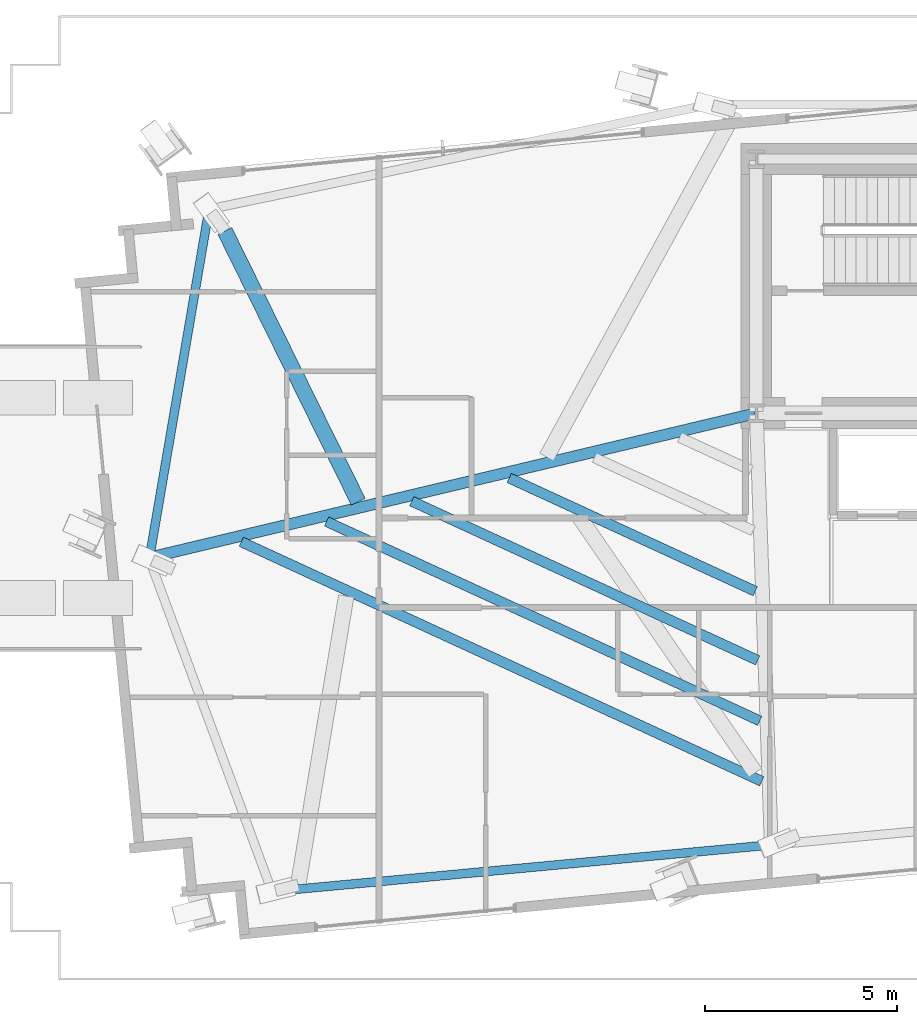
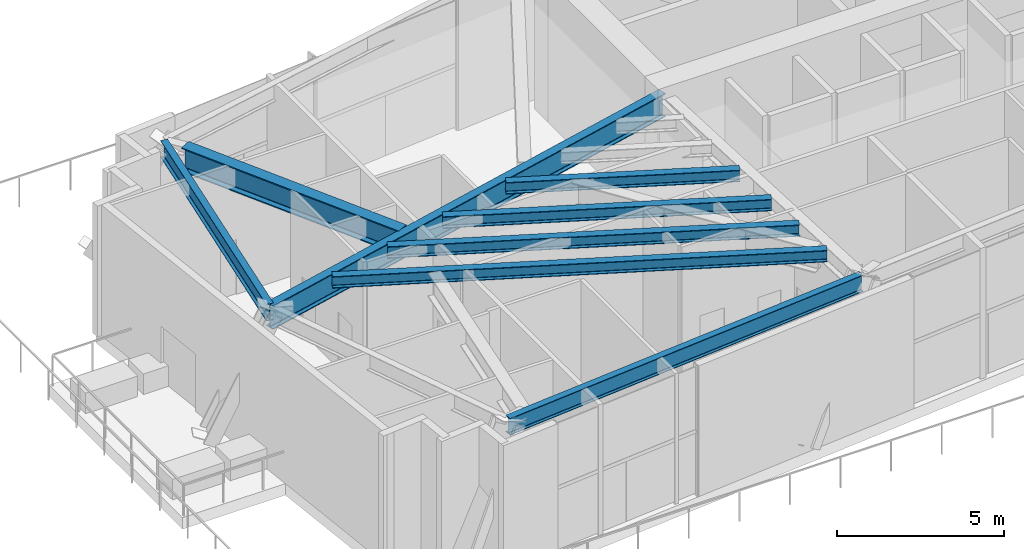
# One storey, part 3 of 28: 8 beams.
"""IFC4 building model written with IfcOpenShell, lengths in metres."""

from ifc_helpers import new_model, si_unit, direction, frame, origin, origin_2d, place, context, subcontext, project, spatial, i_section, extrude, source, transform, mapped, material, material_profile, profile_set, type_object, type_shapes, element, save


model = new_model("IFC4")

# Units and contexts
model_context = context("Model", 3, precision=1e-05, world=origin(), true_north=direction((0.0, 1.0)))
body_context = subcontext(model_context, "Body", "Model", "MODEL_VIEW")
ifc_project = project(units=[si_unit("LENGTHUNIT", "METRE"), si_unit("AREAUNIT", "SQUARE_METRE"), si_unit("VOLUMEUNIT", "CUBIC_METRE"), si_unit("PLANEANGLEUNIT", "RADIAN"), si_unit("MASSUNIT", "GRAM", prefix="KILO")], contexts=[model_context])

# Site, building, storey
site_placement = place(None, origin())
site = spatial("IfcSite", under=ifc_project, at=site_placement, CompositionType="ELEMENT")
building_placement = place(site_placement, origin())
building = spatial("IfcBuilding", under=site, at=building_placement, Name="Astriad Promenade Condominiums", CompositionType="ELEMENT")
storey_placement = place(building_placement, frame((0.0, 0.0, 72.60009765625)))
storey = spatial("IfcBuildingStorey", under=building, at=storey_placement, Name="L20", CompositionType="ELEMENT", Elevation=72.60009765625)

# Beams
ifc_material = material(Name="Steel ASTM A992 Grade 50", Category="steel")
ifc_material_profile_1 = material_profile(ifc_material, i_section(OverallWidth=0.22900390625, OverallDepth=0.612060546875, WebThickness=0.011962890625, FlangeThickness=0.01953125, FilletRadius=0.017822265625, at=origin_2d()), Name="W24X84")
ifc_profile_set_1 = profile_set([ifc_material_profile_1], Name="Steel ASTM A992 Grade 50")
beam_type_1 = type_object("IfcBeamType", Name="STEEL SPANDREL BEAM W24X84", PredefinedType="SPANDREL", material=ifc_profile_set_1)
shared_shape_1 = source(origin(), body_context, "Body", "SweptSolid", [
    extrude(i_section(OverallWidth=0.22900390625, OverallDepth=0.612060546875, WebThickness=0.011962890625, FlangeThickness=0.01953125, FilletRadius=0.017822265625, at=origin_2d()), origin(), (0.0, 0.0, 1.0), 12.9736328125),
])
beam_1_placement = place(storey_placement, frame((13.859619140625, 4.97705078125, 4.473876953125), z_axis=(0.995655568628, 0.093112773887, 0.0), x_axis=(-0.093112773887, 0.995655568628, 0.0)))
element("IfcBeam", 1, at=beam_1_placement, inside=storey, type_object=beam_type_1, Name="Perimeter Spandrel Beam SP-S1-L20", PredefinedType="SPANDREL", context=body_context, shape_type="MappedRepresentation", body=[
    mapped(shared_shape_1, transform((0.0, 0.0, 0.0), scale=1.0)),
])
shared_shape_2 = source(origin(), body_context, "Body", "SweptSolid", [
    extrude(i_section(OverallWidth=0.22900390625, OverallDepth=0.612060546875, WebThickness=0.011962890625, FlangeThickness=0.01953125, FilletRadius=0.017822265625, at=origin_2d()), origin(), (0.0, 0.0, 1.0), 9.133056640625),
])
type_shapes(beam_type_1, [shared_shape_1, shared_shape_2])
beam_2_placement = place(storey_placement, frame((12.176513671875, 22.6552734375, 4.473876953125), z_axis=(-0.168355380191, -0.985726364647, 0.0), x_axis=(0.985726364647, -0.168355380191, 0.0)))
element("IfcBeam", 2, at=beam_2_placement, inside=storey, type_object=beam_type_1, Name="Perimeter Spandrel Beam SP-W2-L20", PredefinedType="SPANDREL", context=body_context, shape_type="MappedRepresentation", body=[
    mapped(shared_shape_2, transform((0.0, 0.0, 0.0), scale=1.0)),
])
ifc_material_profile_2 = material_profile(ifc_material, i_section(OverallWidth=0.2919921875, OverallDepth=0.85888671875, WebThickness=0.01708984375, FlangeThickness=0.031005859375, FilletRadius=0.02294921875, at=origin_2d()), Name="W33X169")
ifc_profile_set_2 = profile_set([ifc_material_profile_2], Name="Steel ASTM A992 Grade 50")
beam_type_2 = type_object("IfcBeamType", Name="STEEL PRIMARY GIRDER W33X169", PredefinedType="BEAM", material=ifc_profile_set_2)
shared_shape_3 = source(origin(), body_context, "Body", "SweptSolid", [
    extrude(i_section(OverallWidth=0.2919921875, OverallDepth=0.85888671875, WebThickness=0.01708984375, FlangeThickness=0.031005859375, FilletRadius=0.02294921875, at=origin_2d()), origin(), (0.0, 0.0, 1.0), 16.17822265625),
])
type_shapes(beam_type_2, [shared_shape_3])
beam_3_placement = place(storey_placement, frame((10.622802734375, 13.643798828125, 4.350341796875), z_axis=(0.972811557726, 0.231598085387, 0.0), x_axis=(-0.231598085387, 0.972811557726, 0.0)))
element("IfcBeam", 3, at=beam_3_placement, inside=storey, type_object=beam_type_2, Name="Primary Floor Girder PG-WM-L20", PredefinedType="BEAM", context=body_context, shape_type="MappedRepresentation", body=[
    mapped(shared_shape_3, transform((0.0, 0.0, 0.0), scale=1.0)),
])
ifc_material_profile_3 = material_profile(ifc_material, i_section(OverallWidth=0.26318359375, OverallDepth=0.425537109375, WebThickness=0.01318359375, FlangeThickness=0.022216796875, FilletRadius=0.013916015625, at=origin_2d()), Name="W16X89")
ifc_profile_set_3 = profile_set([ifc_material_profile_3], Name="Steel ASTM A992 Grade 50")
beam_type_3 = type_object("IfcBeamType", Name="STEEL FLOOR JOIST W16X89", PredefinedType="JOIST", material=ifc_profile_set_3)
shared_shape_4 = source(origin(), body_context, "Body", "SweptSolid", [
    extrude(i_section(OverallWidth=0.26318359375, OverallDepth=0.425537109375, WebThickness=0.01318359375, FlangeThickness=0.022216796875, FilletRadius=0.013916015625, at=origin_2d()), origin(), (0.0, 0.0, 1.0), 14.88330078125),
])
beam_4_placement = place(storey_placement, frame((13.022216796875, 14.058349609375, 4.567138671875), z_axis=(0.908408725083, -0.418083231178, 0.0), x_axis=(0.418083231178, 0.908408725083, 0.0)))
element("IfcBeam", 4, at=beam_4_placement, inside=storey, type_object=beam_type_3, Name="Secondary Composite Floor Joist JW1-1-L20", PredefinedType="JOIST", context=body_context, shape_type="MappedRepresentation", body=[
    mapped(shared_shape_4, transform((0.0, 0.0, 0.0), scale=1.0)),
])
shared_shape_5 = source(origin(), body_context, "Body", "SweptSolid", [
    extrude(i_section(OverallWidth=0.26318359375, OverallDepth=0.425537109375, WebThickness=0.01318359375, FlangeThickness=0.022216796875, FilletRadius=0.013916015625, at=origin_2d()), origin(), (0.0, 0.0, 1.0), 12.385986328125),
])
beam_5_placement = place(storey_placement, frame((15.236572265625, 14.585693359375, 4.567138671875), z_axis=(0.908404821543, -0.418091712662, 0.0), x_axis=(0.418091712662, 0.908404821543, 0.0)))
element("IfcBeam", 5, at=beam_5_placement, inside=storey, type_object=beam_type_3, Name="Secondary Composite Floor Joist JW1-2-L20", PredefinedType="JOIST", context=body_context, shape_type="MappedRepresentation", body=[
    mapped(shared_shape_5, transform((0.0, 0.0, 0.0), scale=1.0)),
])
shared_shape_6 = source(origin(), body_context, "Body", "SweptSolid", [
    extrude(i_section(OverallWidth=0.26318359375, OverallDepth=0.425537109375, WebThickness=0.01318359375, FlangeThickness=0.022216796875, FilletRadius=0.013916015625, at=origin_2d()), origin(), (0.0, 0.0, 1.0), 9.888916015625),
])
beam_6_placement = place(storey_placement, frame((17.45068359375, 15.11279296875, 4.567138671875), z_axis=(0.908412638472, -0.418074728085, 0.0), x_axis=(0.418074728085, 0.908412638472, 0.0)))
element("IfcBeam", 6, at=beam_6_placement, inside=storey, type_object=beam_type_3, Name="Secondary Composite Floor Joist JW1-3-L20", PredefinedType="JOIST", context=body_context, shape_type="MappedRepresentation", body=[
    mapped(shared_shape_6, transform((0.0, 0.0, 0.0), scale=1.0)),
])
shared_shape_7 = source(origin(), body_context, "Body", "SweptSolid", [
    extrude(i_section(OverallWidth=0.26318359375, OverallDepth=0.425537109375, WebThickness=0.01318359375, FlangeThickness=0.022216796875, FilletRadius=0.013916015625, at=origin_2d()), origin(), (0.0, 0.0, 1.0), 7.034912109375),
])
type_shapes(beam_type_3, [shared_shape_4, shared_shape_5, shared_shape_6, shared_shape_7])
beam_7_placement = place(storey_placement, frame((19.981201171875, 15.71533203125, 4.567138671875), z_axis=(0.908410854263, -0.418078604879, 0.0), x_axis=(0.418078604879, 0.908410854263, 0.0)))
element("IfcBeam", 7, at=beam_7_placement, inside=storey, type_object=beam_type_3, Name="Secondary Composite Floor Joist JW1-4-L20", PredefinedType="JOIST", context=body_context, shape_type="MappedRepresentation", body=[
    mapped(shared_shape_7, transform((0.0, 0.0, 0.0), scale=1.0)),
])
ifc_material_profile_4 = material_profile(ifc_material, i_section(OverallWidth=0.4013671875, OverallDepth=0.877197265625, WebThickness=0.022216796875, FlangeThickness=0.039794921875, FilletRadius=0.02294921875, at=origin_2d()), Name="W33X263")
ifc_profile_set_4 = profile_set([ifc_material_profile_4], Name="Steel ASTM A992 Grade 50")
beam_type_4 = type_object("IfcBeamType", Name="STEEL TRANSFER CARRIER GIRDER W33X263", PredefinedType="BEAM", material=ifc_profile_set_4)
shared_shape_8 = source(origin(), body_context, "Body", "SweptSolid", [
    extrude(i_section(OverallWidth=0.4013671875, OverallDepth=0.877197265625, WebThickness=0.022216796875, FlangeThickness=0.039794921875, FilletRadius=0.02294921875, at=origin_2d()), origin(), (0.0, 0.0, 1.0), 7.837158203125),
])
type_shapes(beam_type_4, [shared_shape_8])
beam_8_placement = place(storey_placement, frame((16.060546875, 15.098388671875, 4.34130859375), z_axis=(-0.442072444077, 0.896979349923, 0.0), x_axis=(-0.896979349923, -0.442072444077, 0.0)))
element("IfcBeam", 8, at=beam_8_placement, inside=storey, type_object=beam_type_4, Name="Transfer Splice Carrier TRM-SP-PC06-L20", PredefinedType="BEAM", context=body_context, shape_type="MappedRepresentation", body=[
    mapped(shared_shape_8, transform((0.0, 0.0, 0.0), scale=1.0)),
])

save(model, "model.ifc")
